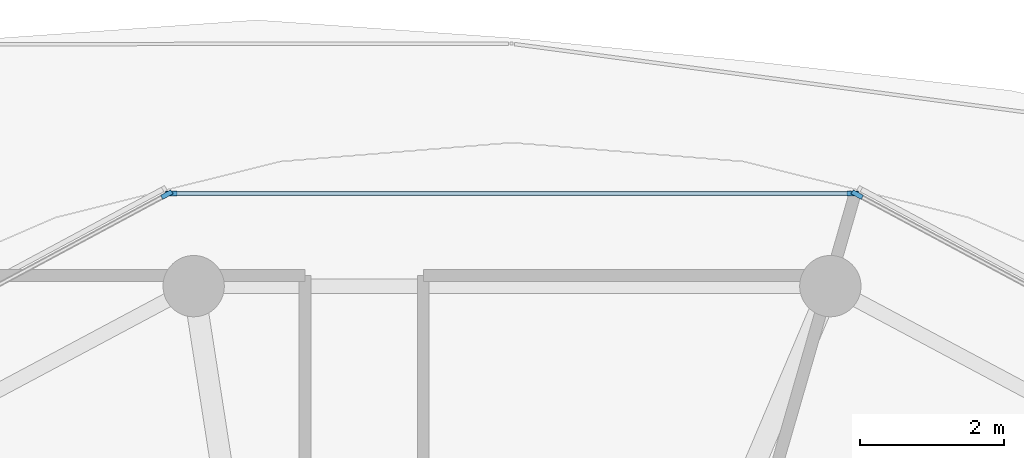
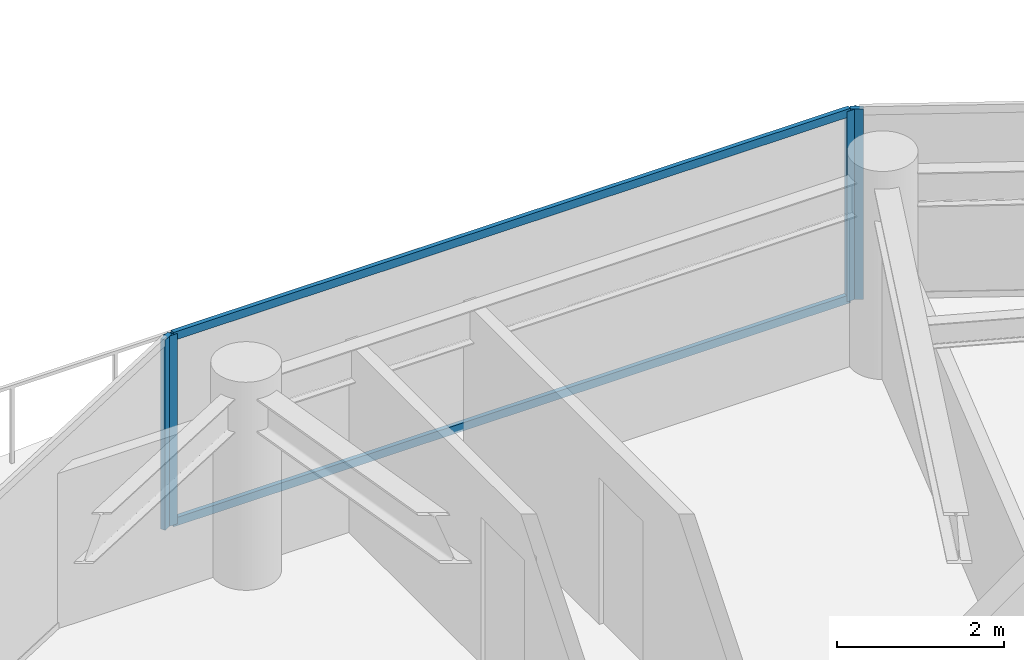
# One storey, part 9 of 25: 6 members, 3 elements without a shape of their own.
"""IFC4 building model written with IfcOpenShell, lengths in metres."""

from ifc_helpers import new_model, si_unit, direction, frame, origin, origin_2d, place, context, subcontext, project, spatial, rectangle, extrude, source, transform, mapped, material, layer, layer_set, material_profile, profile_set, type_object, type_shapes, element, aggregate, save


model = new_model("IFC4")

# Units and contexts
model_context = context("Model", 3, precision=1e-05, world=origin(), true_north=direction((0.0, 1.0)))
body_context = subcontext(model_context, "Body", "Model", "MODEL_VIEW")
ifc_project = project(units=[si_unit("LENGTHUNIT", "METRE"), si_unit("AREAUNIT", "SQUARE_METRE"), si_unit("VOLUMEUNIT", "CUBIC_METRE"), si_unit("PLANEANGLEUNIT", "RADIAN"), si_unit("MASSUNIT", "GRAM", prefix="KILO")], contexts=[model_context])

# Site, building, storey
site_placement = place(None, origin())
site = spatial("IfcSite", under=ifc_project, at=site_placement, CompositionType="ELEMENT")
building_placement = place(site_placement, origin())
building = spatial("IfcBuilding", under=site, at=building_placement, Name="Norrkilde Senior Care Towers", CompositionType="ELEMENT")
storey_placement = place(building_placement, frame((0.0, 0.0, 84.050048828125)))
storey = spatial("IfcBuildingStorey", under=building, at=storey_placement, Name="L25", CompositionType="ELEMENT", Elevation=84.050048828125)

# Curtain wall, member
ifc_material_1 = material(Name="Triple Low-E Insulated Glazing", Category="glass")
ifc_layer = layer(ifc_material_1, 0.195068359375)
ifc_layer_set = layer_set([ifc_layer], Name="Triple Low-E Insulated Glazing")
curtain_wall_type = type_object("IfcCurtainWallType", Name="CW3 Zone 2 Assisted Living Curtain Wall", PredefinedType="NOTDEFINED", material=ifc_layer_set)
curtain_wall_1_placement = place(storey_placement, origin())
curtain_wall_1 = element("IfcCurtainWall", 1, at=curtain_wall_1_placement, inside=storey, type_object=curtain_wall_type, Name="L25 Drum W Curtain Wall 01", PredefinedType="NOTDEFINED")
ifc_material_2 = material(Name="Anodised Aluminium", Category="aluminium")
ifc_material_profile_1 = material_profile(ifc_material_2, rectangle(XDim=0.06494140625, YDim=0.159912109375, at=origin_2d()), Name="ALU MULL 65x160")
ifc_profile_set_1 = profile_set([ifc_material_profile_1], Name="Anodised Aluminium")
member_type_1 = type_object("IfcMemberType", Name="Curtain Wall Mullion Z1-Z2 65x160", PredefinedType="MULLION", material=ifc_profile_set_1)
shared_shape_1 = source(origin(), body_context, "Body", "SweptSolid", [
    extrude(rectangle(XDim=0.06494140625, YDim=0.159912109375, at=origin_2d()), origin(), (0.0, 0.0, 1.0), 2.7900390625),
])
type_shapes(member_type_1, [shared_shape_1])
member_1_placement = place(storey_placement, frame((-21.164306640625, 16.482666015625, 0.0), z_axis=(0.0, 0.0, 1.0), x_axis=(0.472769402511, 0.881186184668, 0.0)))
member_1 = element("IfcMember", 2, at=member_1_placement, type_object=member_type_1, Name="CW-3 mullion 1", PredefinedType="MULLION", context=body_context, shape_type="MappedRepresentation", body=[
    mapped(shared_shape_1, transform((0.0, 0.0, 0.0), x_axis=(1.0, 0.0, 0.0), y_axis=(0.0, 1.0, 0.0), z_axis=(0.0, 0.0, 1.0), scale=1.0)),
])
aggregate(curtain_wall_1, [member_1])

# Curtain wall, members
curtain_wall_2_placement = place(storey_placement, origin())
curtain_wall_2 = element("IfcCurtainWall", 3, at=curtain_wall_2_placement, inside=storey, type_object=curtain_wall_type, Name="L25 Drum W Curtain Wall 02", PredefinedType="NOTDEFINED")
member_2_placement = place(storey_placement, frame((-30.674560546875, 16.498046875, 0.0), z_axis=(0.0, 0.0, 1.0), x_axis=(0.0, 1.0, 0.0)))
member_2 = element("IfcMember", 4, at=member_2_placement, type_object=member_type_1, Name="CW-3 mullion 1", PredefinedType="MULLION", context=body_context, shape_type="MappedRepresentation", body=[
    mapped(shared_shape_1, transform((0.0, 0.0, 0.0), x_axis=(1.0, 0.0, 0.0), y_axis=(0.0, 1.0, 0.0), z_axis=(0.0, 0.0, 1.0), scale=1.0)),
])
member_3_placement = place(storey_placement, frame((-21.225341796875, 16.498046875, 0.0), z_axis=(0.0, 0.0, 1.0), x_axis=(0.0, 1.0, 0.0)))
member_3 = element("IfcMember", 5, at=member_3_placement, type_object=member_type_1, Name="CW-3 mullion 2", PredefinedType="MULLION", context=body_context, shape_type="MappedRepresentation", body=[
    mapped(shared_shape_1, transform((0.0, 0.0, 0.0), x_axis=(1.0, 0.0, 0.0), y_axis=(0.0, 1.0, 0.0), z_axis=(0.0, 0.0, 1.0), scale=1.0)),
])

# Curtain wall, member
curtain_wall_3_placement = place(storey_placement, origin())
curtain_wall_3 = element("IfcCurtainWall", 6, at=curtain_wall_3_placement, inside=storey, type_object=curtain_wall_type, Name="L25 Drum W Curtain Wall 03", PredefinedType="NOTDEFINED")
member_4_placement = place(storey_placement, frame((-30.73583984375, 16.482666015625, 0.0), z_axis=(0.0, 0.0, 1.0), x_axis=(-0.472769402511, 0.881186184668, 0.0)))
member_4 = element("IfcMember", 7, at=member_4_placement, type_object=member_type_1, Name="CW-3 mullion 2", PredefinedType="MULLION", context=body_context, shape_type="MappedRepresentation", body=[
    mapped(shared_shape_1, transform((0.0, 0.0, 0.0), x_axis=(1.0, 0.0, 0.0), y_axis=(0.0, 1.0, 0.0), z_axis=(0.0, 0.0, 1.0), scale=1.0)),
])
aggregate(curtain_wall_3, [member_4])

# Member
ifc_material_profile_2 = material_profile(ifc_material_2, rectangle(XDim=0.06005859375, YDim=0.1201171875, at=origin_2d()), Name="ALU TRAN 60x120")
ifc_profile_set_2 = profile_set([ifc_material_profile_2], Name="Anodised Aluminium")
member_type_2 = type_object("IfcMemberType", Name="Curtain Wall Transom Typical 60x120", PredefinedType="USERDEFINED", material=ifc_profile_set_2)
shared_shape_2 = source(origin(), body_context, "Body", "SweptSolid", [
    extrude(rectangle(XDim=0.06005859375, YDim=0.1201171875, at=origin_2d()), origin(), (0.0, 0.0, 1.0), 9.38427734375),
])
type_shapes(member_type_2, [shared_shape_2])
member_5_placement = place(storey_placement, frame((-30.64208984375, 16.498046875, 0.030029296875), z_axis=(1.0, 0.0, 0.0), x_axis=(0.0, 1.0, 0.0)))
member_5 = element("IfcMember", 8, at=member_5_placement, type_object=member_type_2, Name="CW-3 transom 1.1", ObjectType="TRANSOM", PredefinedType="USERDEFINED", context=body_context, shape_type="MappedRepresentation", body=[
    mapped(shared_shape_2, transform((0.0, 0.0, 0.0), x_axis=(1.0, 0.0, 0.0), y_axis=(0.0, 1.0, 0.0), z_axis=(0.0, 0.0, 1.0), scale=1.0)),
])

member_6_placement = place(storey_placement, frame((-30.64208984375, 16.498046875, 2.760009765625), z_axis=(1.0, 0.0, 0.0), x_axis=(0.0, 1.0, 0.0)))
member_6 = element("IfcMember", 9, at=member_6_placement, type_object=member_type_2, Name="CW-3 transom 1.2", ObjectType="TRANSOM", PredefinedType="USERDEFINED", context=body_context, shape_type="MappedRepresentation", body=[
    mapped(shared_shape_2, transform((0.0, 0.0, 0.0), x_axis=(1.0, 0.0, 0.0), y_axis=(0.0, 1.0, 0.0), z_axis=(0.0, 0.0, 1.0), scale=1.0)),
])

aggregate(curtain_wall_2, [member_2, member_3, member_5, member_6])

save(model, "model.ifc")
